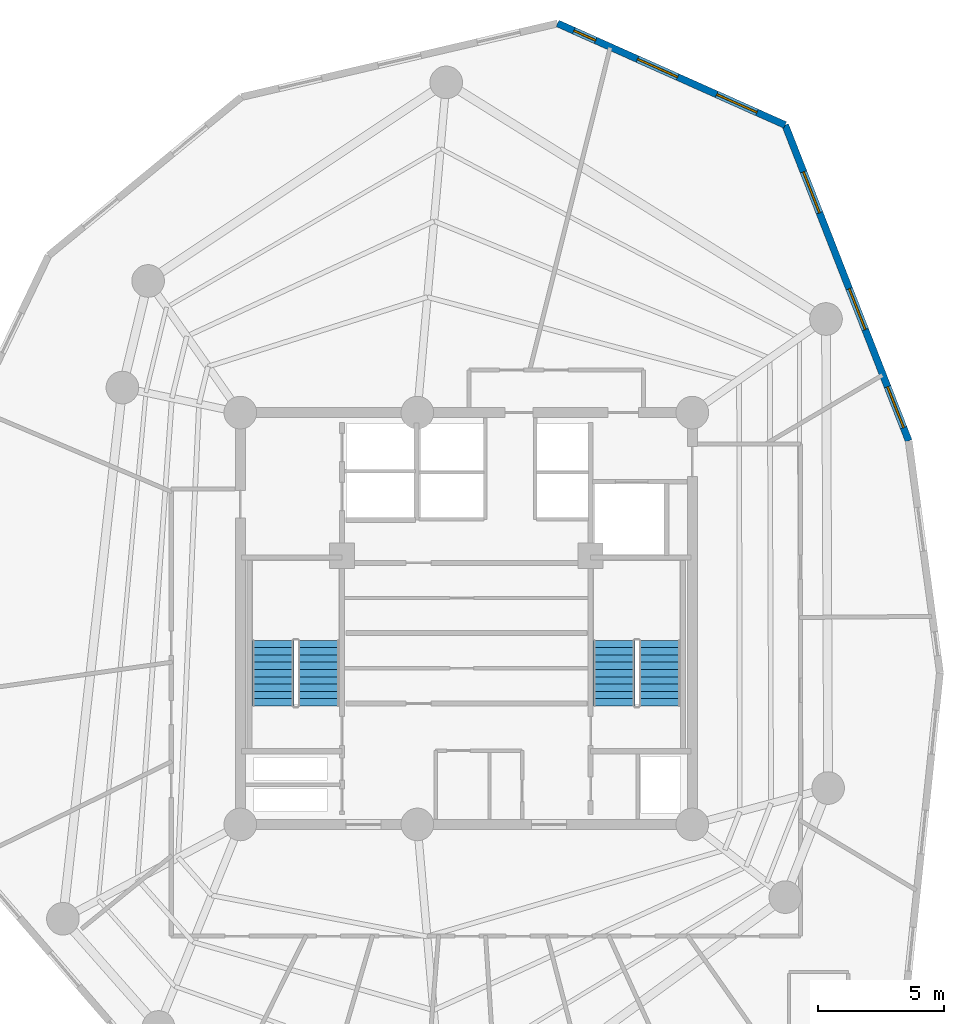
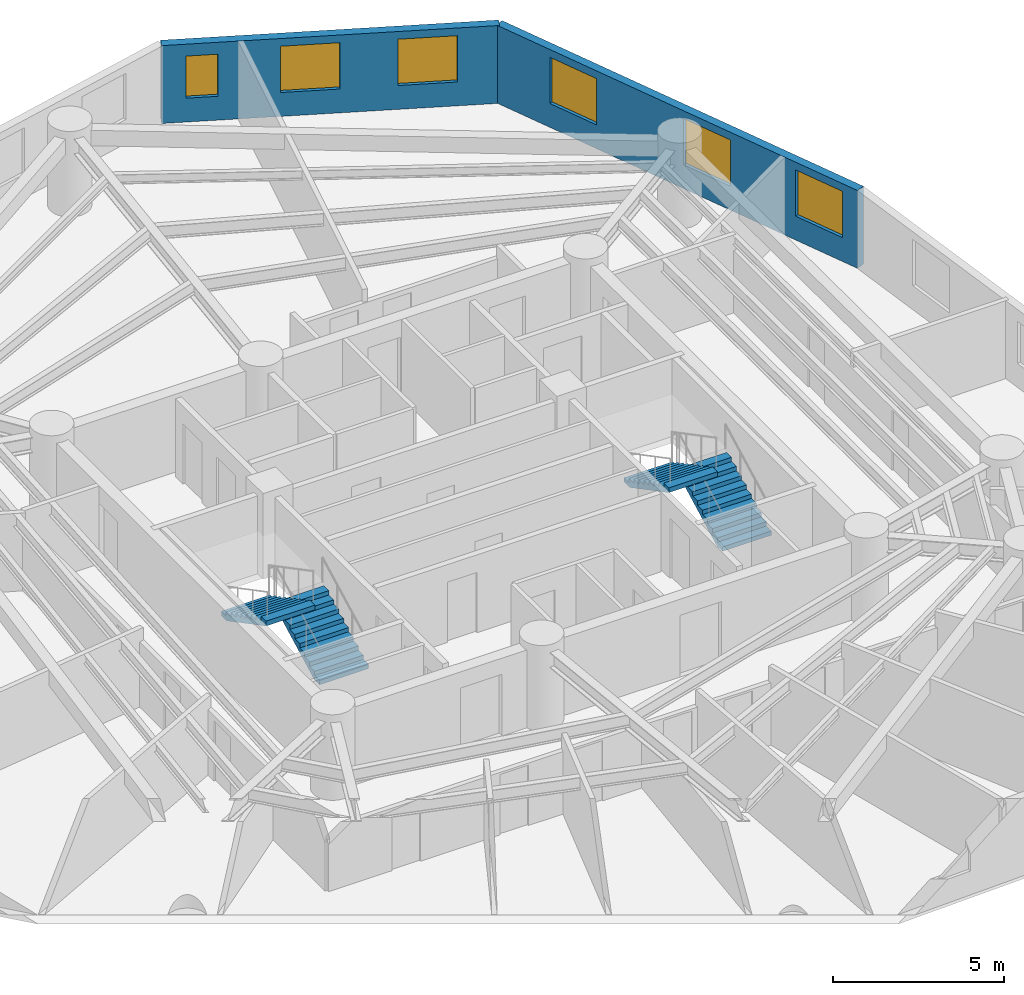
# One storey, part 6 of 7: 6 windows, 4 stair flights, 2 walls, 6 openings, 2 elements without a shape of their own.
"""IFC4 building model written with IfcOpenShell, lengths in metres."""

from ifc_helpers import new_model, si_unit, direction, frame, frame_2d, origin, origin_with_axes, place, context, subcontext, project, spatial, polyline, rectangle, outline, extrude, source, transform, mapped, material, layer, layer_set, type_object, element, fill, aggregate, save


model = new_model("IFC4")

# Units and contexts
model_context = context("Model", 3, precision=1e-05, world=origin(), true_north=direction((0.0, 1.0)))
body_context = subcontext(model_context, "Body", "Model", "MODEL_VIEW")
ifc_project = project(units=[si_unit("LENGTHUNIT", "METRE"), si_unit("AREAUNIT", "SQUARE_METRE"), si_unit("VOLUMEUNIT", "CUBIC_METRE"), si_unit("PLANEANGLEUNIT", "RADIAN"), si_unit("MASSUNIT", "GRAM", prefix="KILO")], contexts=[model_context])

# Site, building, storey
site_placement = place(None, origin())
site = spatial("IfcSite", under=ifc_project, at=site_placement, CompositionType="ELEMENT")
building_placement = place(site_placement, origin())
building = spatial("IfcBuilding", under=site, at=building_placement, Name="Karkom Vertical University and Central Library", CompositionType="ELEMENT")
storey_placement = place(building_placement, frame((0.0, 0.0, 205.35009765625)))
storey = spatial("IfcBuildingStorey", under=building, at=storey_placement, Name="L60", CompositionType="ELEMENT", Elevation=205.35009765625)

# Wall, openings, windows
ifc_material_1 = material(Name="Brick-faced precast concrete C45/55", Category="masonry")
ifc_layer = layer(ifc_material_1, 0.280029296875)
ifc_layer_set = layer_set([ifc_layer], Name="Brick-faced precast concrete C45/55")
wall_type = type_object("IfcWallType", Name="ENV-WL-BRK-280", PredefinedType="SOLIDWALL", material=ifc_layer_set)
wall_1_placement = place(storey_placement, frame((46.1181640625, 33.578369140625, 0.0), z_axis=(0.0, 0.0, 1.0), x_axis=(-0.364297776346, 0.931282518976, 0.0)))
wall_1 = element("IfcWall", 1, at=wall_1_placement, inside=storey, type_object=wall_type, Name="Level 60 Brick-Faced Precast Facade Wall 08", PredefinedType="SOLIDWALL", context=body_context, shape_type="SweptSolid", body=[
    extrude(rectangle(XDim=13.50390625, YDim=0.280029296875, at=frame_2d((6.751953125, 0.0))), origin(), (0.0, 0.0, 1.0), 2.77490234375),
])
opening_1_placement = place(wall_1_placement, frame((0.5595703125, 0.0, 0.85009765625)))
opening_1 = element("IfcOpeningElement", 2, at=opening_1_placement, cuts=wall_1, Name="Opening WN-08", PredefinedType="OPENING", context=body_context, shape_type="SweptSolid", body=[
    extrude(rectangle(XDim=1.75, YDim=1.64990234375, at=frame_2d((0.875, 0.824951171875))), frame((0.0, 0.14990234375, 0.0), z_axis=(0.0, -1.0, 0.0), x_axis=(1.0, 0.0, 0.0)), (0.0, 0.0, 1.0), 0.300048828125),
])
opening_2_placement = place(wall_1_placement, frame((4.752685546875, 0.0, 0.85009765625)))
opening_2 = element("IfcOpeningElement", 3, at=opening_2_placement, cuts=wall_1, Name="Opening WN-08", PredefinedType="OPENING", context=body_context, shape_type="SweptSolid", body=[
    extrude(rectangle(XDim=1.75, YDim=1.64990234375, at=frame_2d((0.875, 0.824951171875))), frame((0.0, 0.14990234375, 0.0), z_axis=(0.0, -1.0, 0.0), x_axis=(1.0, 0.0, 0.0)), (0.0, 0.0, 1.0), 0.300048828125),
])
opening_3_placement = place(wall_1_placement, frame((9.75, 0.0, 0.85009765625)))
opening_3 = element("IfcOpeningElement", 4, at=opening_3_placement, cuts=wall_1, Name="Opening WN-08", PredefinedType="OPENING", context=body_context, shape_type="SweptSolid", body=[
    extrude(rectangle(XDim=1.75, YDim=1.64990234375, at=frame_2d((0.875, 0.824951171875))), frame((0.0, 0.14990234375, 0.0), z_axis=(0.0, -1.0, 0.0), x_axis=(1.0, 0.0, 0.0)), (0.0, 0.0, 1.0), 0.300048828125),
])
ifc_material_2 = material(Name="Aluminium thermal-break frame with solar-control IGU", Category="aluminium")
window_type_1 = type_object("IfcWindowType", Name="ENV-WIN-WN-08", PartitioningType="SINGLE_PANEL", PredefinedType="WINDOW", material=ifc_material_2)
shared_shape_1 = source(origin_with_axes(), body_context, "Body", "SweptSolid", [
    extrude(rectangle(XDim=1.75, YDim=1.64990234375, at=frame_2d((0.875, 0.824951171875))), frame((0.0, 0.030029296875, 0.0), z_axis=(0.0, -1.0, 0.0), x_axis=(1.0, 0.0, 0.0)), (0.0, 0.0, 1.0), 0.06005859375),
])
window_1_placement = place(opening_1_placement, origin())
window_1 = element("IfcWindow", 5, at=window_1_placement, inside=storey, type_object=window_type_1, Name="Level 60 Punched Window 8.1", OverallHeight=1.64990234375, OverallWidth=1.75, PartitioningType="SINGLE_PANEL", PredefinedType="WINDOW", context=body_context, shape_type="MappedRepresentation", body=[
    mapped(shared_shape_1, transform((0.0, 0.0, 0.0), scale=1.0)),
])
fill(opening_1, window_1)
window_2_placement = place(opening_2_placement, origin())
window_2 = element("IfcWindow", 6, at=window_2_placement, inside=storey, type_object=window_type_1, Name="Level 60 Punched Window 8.2", OverallHeight=1.64990234375, OverallWidth=1.75, PartitioningType="SINGLE_PANEL", PredefinedType="WINDOW", context=body_context, shape_type="MappedRepresentation", body=[
    mapped(shared_shape_1, transform((0.0, 0.0, 0.0), scale=1.0)),
])
fill(opening_2, window_2)
window_3_placement = place(opening_3_placement, origin())
window_3 = element("IfcWindow", 7, at=window_3_placement, inside=storey, type_object=window_type_1, Name="Level 60 Punched Window 8.3", OverallHeight=1.64990234375, OverallWidth=1.75, PartitioningType="SINGLE_PANEL", PredefinedType="WINDOW", context=body_context, shape_type="MappedRepresentation", body=[
    mapped(shared_shape_1, transform((0.0, 0.0, 0.0), scale=1.0)),
])
fill(opening_3, window_3)

wall_2_placement = place(storey_placement, frame((41.19873046875, 46.154296875, 0.0), z_axis=(0.0, 0.0, 1.0), x_axis=(-0.913173362766, 0.407571355144, 0.0)))
wall_2 = element("IfcWall", 8, at=wall_2_placement, inside=storey, type_object=wall_type, Name="Level 60 Brick-Faced Precast Facade Wall 09", PredefinedType="SOLIDWALL", context=body_context, shape_type="SweptSolid", body=[
    extrude(rectangle(XDim=9.924560546875, YDim=0.280029296875, at=frame_2d((4.96240234375, 0.0))), origin(), (0.0, 0.0, 1.0), 2.77490234375),
])
opening_4_placement = place(wall_2_placement, frame((1.2333984375, 0.0, 0.85009765625)))
opening_4 = element("IfcOpeningElement", 9, at=opening_4_placement, cuts=wall_2, Name="Opening WN-08", PredefinedType="OPENING", context=body_context, shape_type="SweptSolid", body=[
    extrude(rectangle(XDim=1.75, YDim=1.64990234375, at=frame_2d((0.875, 0.824951171875))), frame((0.0, 0.14990234375, 0.0), z_axis=(0.0, -1.0, 0.0), x_axis=(1.0, 0.0, 0.0)), (0.0, 0.0, 1.0), 0.300048828125),
])
opening_5_placement = place(wall_2_placement, frame((4.689697265625, 0.0, 0.85009765625)))
opening_5 = element("IfcOpeningElement", 10, at=opening_5_placement, cuts=wall_2, Name="Opening WN-08", PredefinedType="OPENING", context=body_context, shape_type="SweptSolid", body=[
    extrude(rectangle(XDim=1.75, YDim=1.64990234375, at=frame_2d((0.875, 0.824951171875))), frame((0.0, 0.14990234375, 0.0), z_axis=(0.0, -1.0, 0.0), x_axis=(1.0, 0.0, 0.0)), (0.0, 0.0, 1.0), 0.300048828125),
])
opening_6_placement = place(wall_2_placement, frame((8.263916015625, 0.0, 0.85009765625)))
opening_6 = element("IfcOpeningElement", 11, at=opening_6_placement, cuts=wall_2, Name="Opening WN-12", PredefinedType="OPENING", context=body_context, shape_type="SweptSolid", body=[
    extrude(rectangle(XDim=0.949951171875, YDim=1.5, at=frame_2d((0.47509765625, 0.75))), frame((0.0, 0.14990234375, 0.0), z_axis=(0.0, -1.0, 0.0), x_axis=(1.0, 0.0, 0.0)), (0.0, 0.0, 1.0), 0.300048828125),
])
window_type_2 = type_object("IfcWindowType", Name="ENV-WIN-WN-12", PartitioningType="SINGLE_PANEL", PredefinedType="WINDOW", material=ifc_material_2)
shared_shape_2 = source(origin_with_axes(), body_context, "Body", "SweptSolid", [
    extrude(rectangle(XDim=0.949951171875, YDim=1.5, at=frame_2d((0.47509765625, 0.75))), frame((0.0, 0.030029296875, 0.0), z_axis=(0.0, -1.0, 0.0), x_axis=(1.0, 0.0, 0.0)), (0.0, 0.0, 1.0), 0.06005859375),
])
window_4_placement = place(opening_6_placement, origin())
window_4 = element("IfcWindow", 12, at=window_4_placement, inside=storey, type_object=window_type_2, Name="Level 60 Punched Window 9.3", OverallHeight=1.5, OverallWidth=0.949951171875, PartitioningType="SINGLE_PANEL", PredefinedType="WINDOW", context=body_context, shape_type="MappedRepresentation", body=[
    mapped(shared_shape_2, transform((0.0, 0.0, 0.0), scale=1.0)),
])
fill(opening_6, window_4)
window_5_placement = place(opening_4_placement, origin())
window_5 = element("IfcWindow", 13, at=window_5_placement, inside=storey, type_object=window_type_1, Name="Level 60 Punched Window 9.1", OverallHeight=1.64990234375, OverallWidth=1.75, PartitioningType="SINGLE_PANEL", PredefinedType="WINDOW", context=body_context, shape_type="MappedRepresentation", body=[
    mapped(shared_shape_1, transform((0.0, 0.0, 0.0), scale=1.0)),
])
fill(opening_4, window_5)
window_6_placement = place(opening_5_placement, origin())
window_6 = element("IfcWindow", 14, at=window_6_placement, inside=storey, type_object=window_type_1, Name="Level 60 Punched Window 9.2", OverallHeight=1.64990234375, OverallWidth=1.75, PartitioningType="SINGLE_PANEL", PredefinedType="WINDOW", context=body_context, shape_type="MappedRepresentation", body=[
    mapped(shared_shape_1, transform((0.0, 0.0, 0.0), scale=1.0)),
])
fill(opening_5, window_6)

# Stair, stair flights
ifc_material_3 = material(Name="Concrete C45/55", Category="concrete")
stair_type = type_object("IfcStairType", Name="INT-STR-ST-MAIN", PredefinedType="HALF_TURN_STAIR", material=ifc_material_3)
stair_1_placement = place(storey_placement, origin())
stair_1 = element("IfcStair", 15, at=stair_1_placement, inside=storey, type_object=stair_type, Name="Level 60 Tower Protected Exit Stair ST-1", PredefinedType="HALF_TURN_STAIR")
stair_flight_type = type_object("IfcStairFlightType", Name="INT-SFL-ST-MAIN", PredefinedType="STRAIGHT", material=ifc_material_3)
stair_flight_1_placement = place(storey_placement, frame((22.614990234375, 23.02001953125, 0.0), z_axis=(0.0, 0.0, 1.0), x_axis=(0.0, 1.0, 0.0)))
stair_flight_1 = element("IfcStairFlight", 16, at=stair_flight_1_placement, type_object=stair_flight_type, Name="ST-1 flight 1", NumberOfRisers=10, NumberOfTreads=9, PredefinedType="STRAIGHT", RiserHeight=0.1525, TreadLength=0.29, context=body_context, shape_type="SweptSolid", body=[
    extrude(outline(polyline([(0.0, 0.0), (0.0, 0.152587890625), (0.2900390625, 0.152587890625), (0.2900390625, 0.304931640625), (0.580078125, 0.304931640625), (0.580078125, 0.45751953125), (0.8701171875, 0.45751953125), (0.8701171875, 0.610107421875), (1.159912109375, 0.610107421875), (1.159912109375, 0.762451171875), (1.449951171875, 0.762451171875), (1.449951171875, 0.9150390625), (1.739990234375, 0.9150390625), (1.739990234375, 1.0673828125), (2.030029296875, 1.0673828125), (2.030029296875, 1.219970703125), (2.320068359375, 1.219970703125), (2.320068359375, 1.37255859375), (2.610107421875, 1.37255859375), (2.610107421875, 1.52490234375), (2.610107421875, 1.203125), (0.322021484375, 0.0), (0.0, 0.0)])), frame((0.0, 0.824951171875, 0.0), z_axis=(0.0, -1.0, 0.0), x_axis=(1.0, 0.0, 0.0)), (0.0, 0.0, 1.0), 1.64990234375),
])
stair_flight_2_placement = place(storey_placement, frame((20.804931640625, 25.6298828125, 1.52490234375), z_axis=(0.0, 0.0, 1.0), x_axis=(0.0, -1.0, 0.0)))
stair_flight_2 = element("IfcStairFlight", 17, at=stair_flight_2_placement, type_object=stair_flight_type, Name="ST-1 flight 2", NumberOfRisers=10, NumberOfTreads=9, PredefinedType="STRAIGHT", RiserHeight=0.1525, TreadLength=0.29, context=body_context, shape_type="SweptSolid", body=[
    extrude(outline(polyline([(0.0, 0.0), (0.0, 0.152587890625), (0.2900390625, 0.152587890625), (0.2900390625, 0.304931640625), (0.580078125, 0.304931640625), (0.580078125, 0.45751953125), (0.8701171875, 0.45751953125), (0.8701171875, 0.610107421875), (1.159912109375, 0.610107421875), (1.159912109375, 0.762451171875), (1.449951171875, 0.762451171875), (1.449951171875, 0.9150390625), (1.739990234375, 0.9150390625), (1.739990234375, 1.0673828125), (2.030029296875, 1.0673828125), (2.030029296875, 1.219970703125), (2.320068359375, 1.219970703125), (2.320068359375, 1.37255859375), (2.610107421875, 1.37255859375), (2.610107421875, 1.52490234375), (2.610107421875, 1.203125), (0.322021484375, 0.0), (0.0, 0.0)])), frame((0.0, 0.824951171875, 0.0), z_axis=(0.0, -1.0, 0.0), x_axis=(1.0, 0.0, 0.0)), (0.0, 0.0, 1.0), 1.64990234375),
])
aggregate(stair_1, [stair_flight_1, stair_flight_2])

stair_2_placement = place(storey_placement, origin())
stair_2 = element("IfcStair", 18, at=stair_2_placement, inside=storey, type_object=stair_type, Name="Level 60 Tower Protected Exit Stair ST-2", PredefinedType="HALF_TURN_STAIR")
stair_flight_3_placement = place(storey_placement, frame((36.195068359375, 23.02001953125, 0.0), z_axis=(0.0, 0.0, 1.0), x_axis=(0.0, 1.0, 0.0)))
stair_flight_3 = element("IfcStairFlight", 19, at=stair_flight_3_placement, type_object=stair_flight_type, Name="ST-2 flight 1", NumberOfRisers=10, NumberOfTreads=9, PredefinedType="STRAIGHT", RiserHeight=0.1525, TreadLength=0.29, context=body_context, shape_type="SweptSolid", body=[
    extrude(outline(polyline([(0.0, 0.0), (0.0, 0.152587890625), (0.2900390625, 0.152587890625), (0.2900390625, 0.304931640625), (0.580078125, 0.304931640625), (0.580078125, 0.45751953125), (0.8701171875, 0.45751953125), (0.8701171875, 0.610107421875), (1.159912109375, 0.610107421875), (1.159912109375, 0.762451171875), (1.449951171875, 0.762451171875), (1.449951171875, 0.9150390625), (1.739990234375, 0.9150390625), (1.739990234375, 1.0673828125), (2.030029296875, 1.0673828125), (2.030029296875, 1.219970703125), (2.320068359375, 1.219970703125), (2.320068359375, 1.37255859375), (2.610107421875, 1.37255859375), (2.610107421875, 1.52490234375), (2.610107421875, 1.203125), (0.322021484375, 0.0), (0.0, 0.0)])), frame((0.0, 0.824951171875, 0.0), z_axis=(0.0, -1.0, 0.0), x_axis=(1.0, 0.0, 0.0)), (0.0, 0.0, 1.0), 1.64990234375),
])
stair_flight_4_placement = place(storey_placement, frame((34.385009765625, 25.6298828125, 1.52490234375), z_axis=(0.0, 0.0, 1.0), x_axis=(0.0, -1.0, 0.0)))
stair_flight_4 = element("IfcStairFlight", 20, at=stair_flight_4_placement, type_object=stair_flight_type, Name="ST-2 flight 2", NumberOfRisers=10, NumberOfTreads=9, PredefinedType="STRAIGHT", RiserHeight=0.1525, TreadLength=0.29, context=body_context, shape_type="SweptSolid", body=[
    extrude(outline(polyline([(0.0, 0.0), (0.0, 0.152587890625), (0.2900390625, 0.152587890625), (0.2900390625, 0.304931640625), (0.580078125, 0.304931640625), (0.580078125, 0.45751953125), (0.8701171875, 0.45751953125), (0.8701171875, 0.610107421875), (1.159912109375, 0.610107421875), (1.159912109375, 0.762451171875), (1.449951171875, 0.762451171875), (1.449951171875, 0.9150390625), (1.739990234375, 0.9150390625), (1.739990234375, 1.0673828125), (2.030029296875, 1.0673828125), (2.030029296875, 1.219970703125), (2.320068359375, 1.219970703125), (2.320068359375, 1.37255859375), (2.610107421875, 1.37255859375), (2.610107421875, 1.52490234375), (2.610107421875, 1.203125), (0.322021484375, 0.0), (0.0, 0.0)])), frame((0.0, 0.824951171875, 0.0), z_axis=(0.0, -1.0, 0.0), x_axis=(1.0, 0.0, 0.0)), (0.0, 0.0, 1.0), 1.64990234375),
])
aggregate(stair_2, [stair_flight_3, stair_flight_4])

save(model, "model.ifc")
